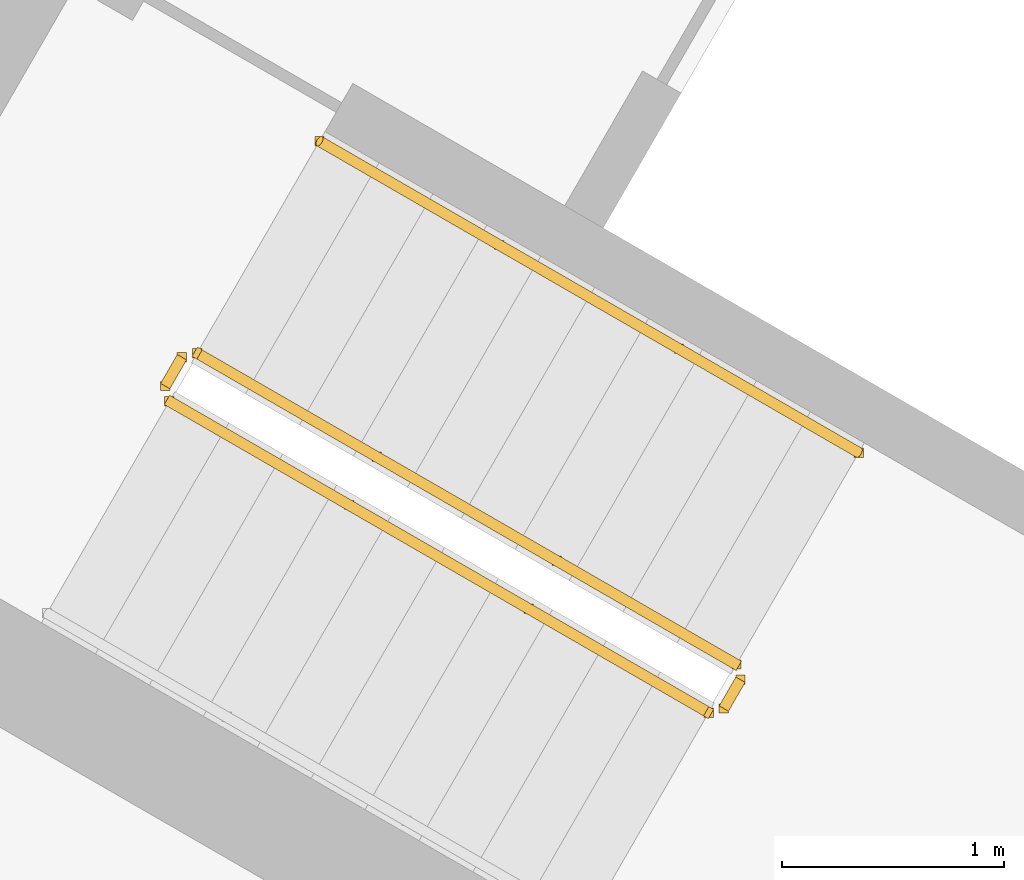
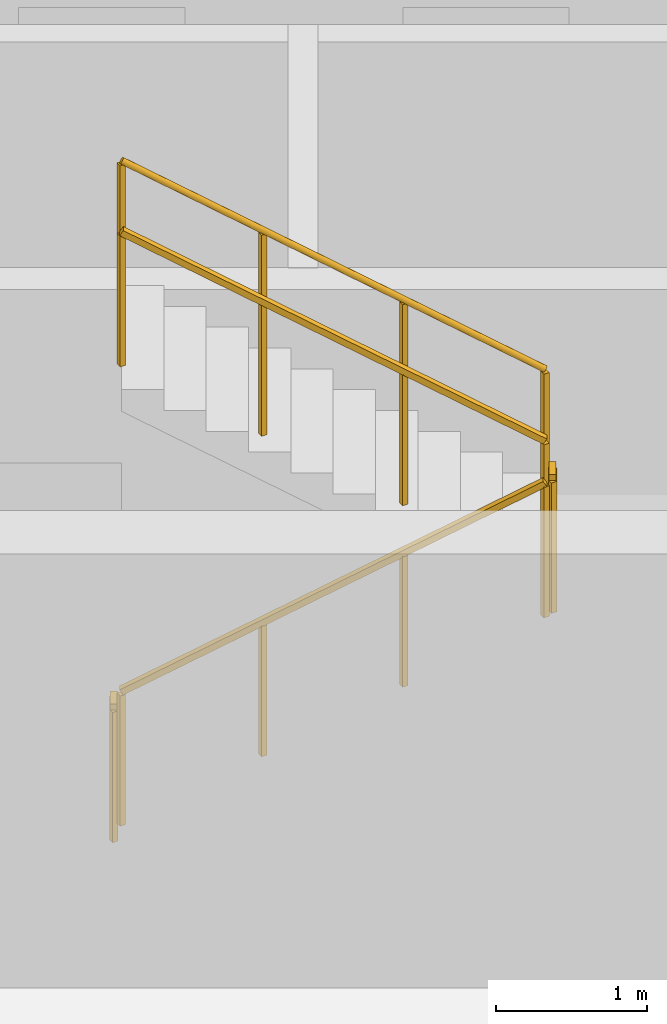
# One storey, part 12 of 14: 5 railings.
"""IFC4 building model written with IfcOpenShell, lengths in metres."""

from ifc_helpers import new_model, si_unit, direction, frame, origin, origin_2d, place, context, subcontext, project, spatial, rectangle, circle, extrude, material, type_object, element, save


model = new_model("IFC4")

# Units and contexts
model_context = context("Model", 3, precision=1e-05, world=origin(), true_north=direction((0.0, 1.0)))
body_context = subcontext(model_context, "Body", "Model", "MODEL_VIEW")
ifc_project = project(units=[si_unit("LENGTHUNIT", "METRE"), si_unit("AREAUNIT", "SQUARE_METRE"), si_unit("VOLUMEUNIT", "CUBIC_METRE"), si_unit("PLANEANGLEUNIT", "RADIAN"), si_unit("MASSUNIT", "GRAM", prefix="KILO")], contexts=[model_context])

# Site, building, storey
site_placement = place(None, origin())
site = spatial("IfcSite", under=ifc_project, at=site_placement, CompositionType="ELEMENT")
building_placement = place(site_placement, origin())
building = spatial("IfcBuilding", under=site, at=building_placement, Name="Apuvela Tower Hotel", CompositionType="ELEMENT")
storey_placement = place(building_placement, frame((0.0, 0.0, 120.5)))
storey = spatial("IfcBuildingStorey", under=building, at=storey_placement, Name="L28", CompositionType="ELEMENT", Elevation=120.5)

# Railings
ifc_material_1 = material(Name="Steel S275 balustrade", Category="steel")
railing_type_1 = type_object("IfcRailingType", Name="COR-GUARD-1100", PredefinedType="GUARDRAIL", material=ifc_material_1)
railing_1_placement = place(storey_placement, frame((10.718994140625, -10.63427734375, 0.168212890625)))
element("IfcRailing", 1, at=railing_1_placement, inside=storey, type_object=railing_type_1, Name="L28 ST3 stair guard 1", PredefinedType="GUARDRAIL", context=body_context, shape_type="SweptSolid", body=[
    extrude(rectangle(XDim=0.048095703125, YDim=0.048095703125, at=origin_2d()), frame((0.0, 0.0, 1.076171875), z_axis=(0.742390482028, -0.42860119049, 0.514934356695), x_axis=(0.49998411664, 0.866034573852, 0.0)), (0.0, 0.0, 1.0), 3.26611328125),
    extrude(rectangle(XDim=0.0419921875, YDim=0.0419921875, at=origin_2d()), origin(), (0.0, 0.0, 1.0), 1.052001953125),
    extrude(rectangle(XDim=0.0419921875, YDim=0.0419921875, at=origin_2d()), frame((0.808349609375, -0.466552734375, 0.560546875)), (0.0, 0.0, 1.0), 1.052001953125),
    extrude(rectangle(XDim=0.0419921875, YDim=0.0419921875, at=origin_2d()), frame((1.616455078125, -0.933349609375, 1.121337890625)), (0.0, 0.0, 1.0), 1.052001953125),
    extrude(rectangle(XDim=0.0419921875, YDim=0.0419921875, at=origin_2d()), frame((2.4248046875, -1.39990234375, 1.681884765625)), (0.0, 0.0, 1.0), 1.052001953125),
])
railing_2_placement = place(storey_placement, frame((13.212158203125, -12.015869140625, 1.85009765625)))
element("IfcRailing", 2, at=railing_2_placement, inside=storey, type_object=railing_type_1, Name="L28 ST3 stair guard 2", PredefinedType="GUARDRAIL", context=body_context, shape_type="SweptSolid", body=[
    extrude(rectangle(XDim=0.048095703125, YDim=0.048095703125, at=origin_2d()), frame((0.0, 0.0, 1.076171875), z_axis=(0.499816412211, 0.866131372301, 0.0), x_axis=(-0.866131372301, 0.499816412211, 0.0)), (0.0, 0.0, 1.0), 0.14990234375),
    extrude(rectangle(XDim=0.0419921875, YDim=0.0419921875, at=origin_2d()), origin(), (0.0, 0.0, 1.0), 1.052001953125),
    extrude(rectangle(XDim=0.0419921875, YDim=0.0419921875, at=origin_2d()), frame((0.074951171875, 0.1298828125, 0.0)), (0.0, 0.0, 1.0), 1.052001953125),
])
railing_3_placement = place(storey_placement, frame((13.268798828125, -11.817626953125, 2.01806640625)))
element("IfcRailing", 3, at=railing_3_placement, inside=storey, type_object=railing_type_1, Name="L28 ST3 stair guard 3", PredefinedType="GUARDRAIL", context=body_context, shape_type="SweptSolid", body=[
    extrude(rectangle(XDim=0.048095703125, YDim=0.048095703125, at=origin_2d()), frame((0.0, 0.0, 1.076171875), z_axis=(-0.742390482028, 0.42860119049, 0.514934356695), x_axis=(-0.49998411664, -0.866034573852, 0.0)), (0.0, 0.0, 1.0), 3.26611328125),
    extrude(rectangle(XDim=0.0419921875, YDim=0.0419921875, at=origin_2d()), origin(), (0.0, 0.0, 1.0), 1.052001953125),
    extrude(rectangle(XDim=0.0419921875, YDim=0.0419921875, at=origin_2d()), frame((-0.808349609375, 0.466552734375, 0.560546875)), (0.0, 0.0, 1.0), 1.052001953125),
    extrude(rectangle(XDim=0.0419921875, YDim=0.0419921875, at=origin_2d()), frame((-1.616455078125, 0.933349609375, 1.121337890625)), (0.0, 0.0, 1.0), 1.052001953125),
    extrude(rectangle(XDim=0.0419921875, YDim=0.0419921875, at=origin_2d()), frame((-2.4248046875, 1.39990234375, 1.681884765625)), (0.0, 0.0, 1.0), 1.052001953125),
])
railing_4_placement = place(storey_placement, frame((10.70068359375, -10.56591796875, 0.0)))
element("IfcRailing", 4, at=railing_4_placement, inside=storey, type_object=railing_type_1, Name="L28 ST3 stair guard 4", PredefinedType="GUARDRAIL", context=body_context, shape_type="SweptSolid", body=[
    extrude(rectangle(XDim=0.048095703125, YDim=0.048095703125, at=origin_2d()), frame((0.0, 0.0, 1.076171875), z_axis=(0.499816412211, 0.866131372301, 0.0), x_axis=(-0.866131372301, 0.499816412211, 0.0)), (0.0, 0.0, 1.0), 0.14990234375),
    extrude(rectangle(XDim=0.0419921875, YDim=0.0419921875, at=origin_2d()), origin(), (0.0, 0.0, 1.0), 1.052001953125),
    extrude(rectangle(XDim=0.0419921875, YDim=0.0419921875, at=origin_2d()), frame((0.074951171875, 0.1298828125, 0.0)), (0.0, 0.0, 1.0), 1.052001953125),
])
ifc_material_2 = material(Name="Stainless steel 316 handrail", Category="steel")
railing_type_2 = type_object("IfcRailingType", Name="COR-HANDRAIL-900", PredefinedType="HANDRAIL", material=ifc_material_2)
railing_5_placement = place(storey_placement, frame((13.81884765625, -10.864990234375, 2.01806640625)))
element("IfcRailing", 5, at=railing_5_placement, inside=storey, type_object=railing_type_2, Name="L28 ST3 stair handrail 2", PredefinedType="HANDRAIL", context=body_context, shape_type="SweptSolid", body=[
    extrude(circle(Radius=0.02392578125, at=origin_2d()), frame((0.0, 0.0, 0.8759765625), z_axis=(-0.742390482028, 0.42860119049, 0.514934356695), x_axis=(-0.49998411664, -0.866034573852, 0.0)), (0.0, 0.0, 1.0), 3.26611328125),
    extrude(rectangle(XDim=0.0419921875, YDim=0.0419921875, at=origin_2d()), origin(), (0.0, 0.0, 1.0), 0.851806640625),
    extrude(rectangle(XDim=0.0419921875, YDim=0.0419921875, at=origin_2d()), frame((-0.808349609375, 0.466552734375, 0.560546875)), (0.0, 0.0, 1.0), 0.851806640625),
    extrude(rectangle(XDim=0.0419921875, YDim=0.0419921875, at=origin_2d()), frame((-1.616455078125, 0.933349609375, 1.121337890625)), (0.0, 0.0, 1.0), 0.851806640625),
    extrude(rectangle(XDim=0.0419921875, YDim=0.0419921875, at=origin_2d()), frame((-2.4248046875, 1.39990234375, 1.681884765625)), (0.0, 0.0, 1.0), 0.851806640625),
])

save(model, "model.ifc")
